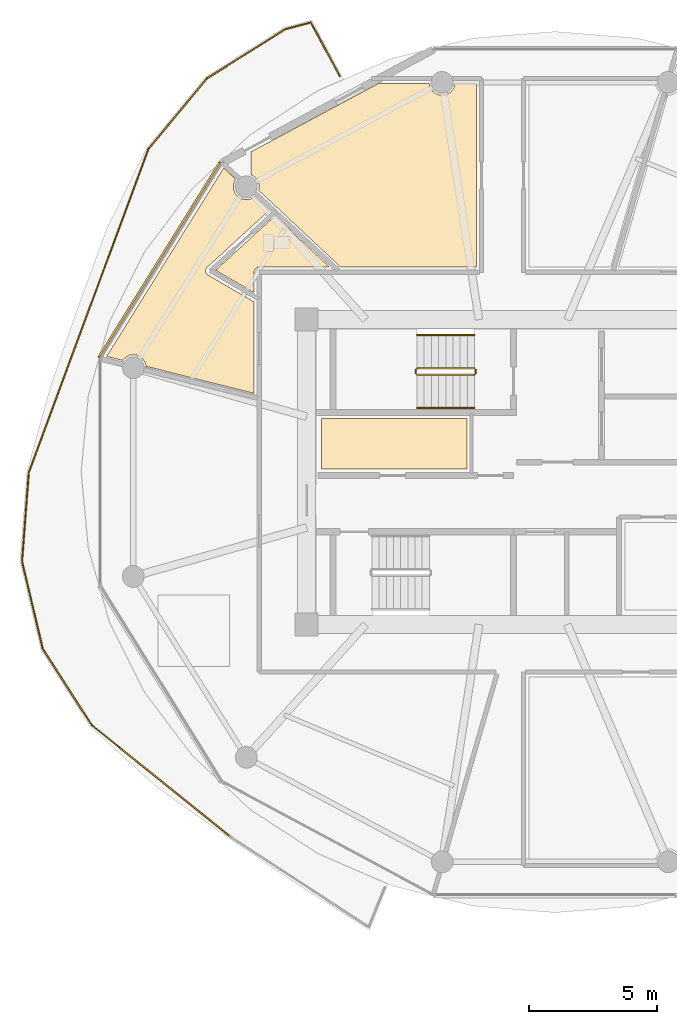
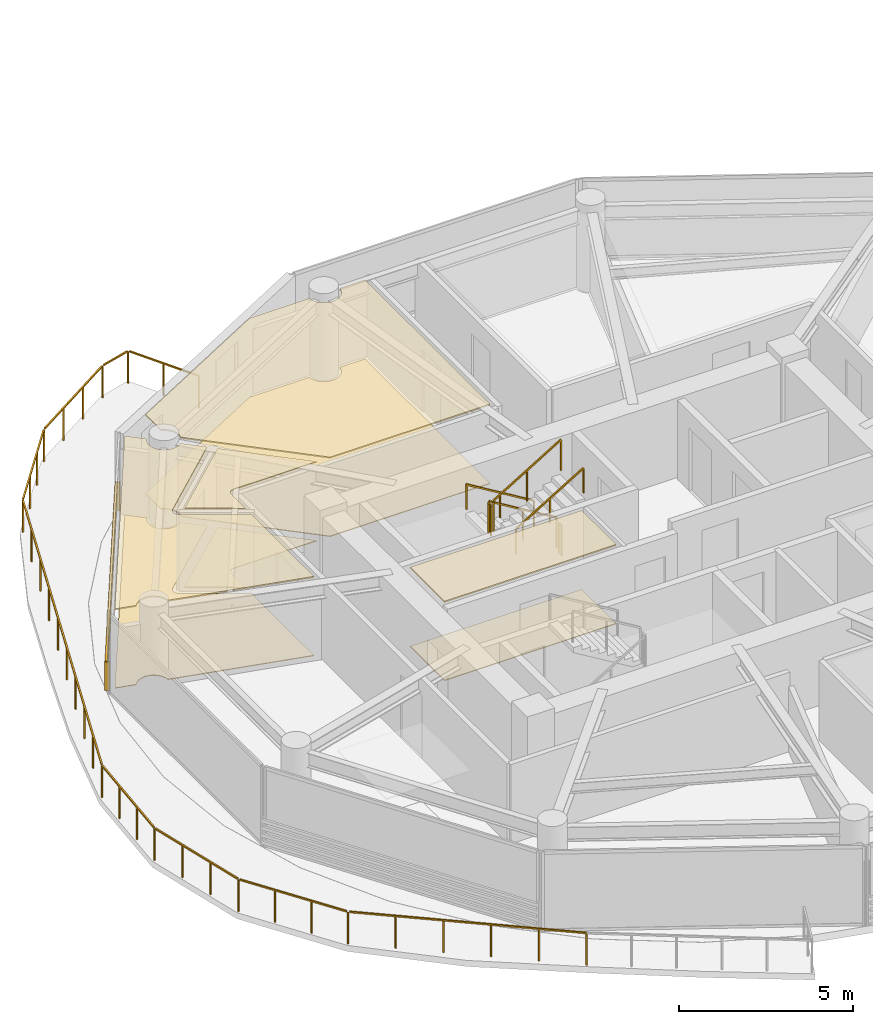
# One storey, part 20 of 25: 8 coverings, 7 railings, 1 shading device.
"""IFC4 building model written with IfcOpenShell, lengths in metres."""

import ifcopenshell
import ifcopenshell.guid

model = None  # the IFC model being written
_history = None  # IfcOwnerHistory: only IFC2X3 demands one
_inside = {}  # id of a spatial element -> (the spatial element, [elements in it])
_under = {}  # id of a project, library or spatial element -> (it, [spatial elements below it])
_declared = {}  # id of a project -> (the project, [libraries it declares])
_typed = {}  # id of a type object -> (the type object, [elements of that type])
_made_of = {}  # id of a material, layer set ... -> (it, [elements and type objects made of it])


def new_model(schema):
    """Start an empty IFC model of exactly this schema.

    Asked for "IFC4X3", IfcOpenShell would pick the latest addendum, in which some entities
    have other attributes; the version numbers below select the first issue.
    IFC2X3 requires an IfcOwnerHistory on every rooted entity: one is made here for all.
    """
    global model, _history
    if schema == "IFC4X3":
        model = ifcopenshell.file(schema_version=(4, 3, 0, 0))
    else:
        model = ifcopenshell.file(schema=schema)
    _inside.clear()
    _under.clear()
    _declared.clear()
    _typed.clear()
    _made_of.clear()
    _history = None
    if model.schema == "IFC2X3":
        org = make("IfcOrganization", Name="unknown")
        user = make(
            "IfcPersonAndOrganization",
            ThePerson=make("IfcPerson", FamilyName="unknown"),
            TheOrganization=org,
        )
        app = make(
            "IfcApplication",
            ApplicationDeveloper=org,
            Version="unknown",
            ApplicationFullName="unknown",
            ApplicationIdentifier="unknown",
        )
        _history = make(
            "IfcOwnerHistory",
            OwningUser=user,
            OwningApplication=app,
            ChangeAction="ADDED",
            CreationDate=0,
        )
    return model


def make(cls, **values):
    """One entity of the class cls with the attributes given. An attribute that is None is left unset."""
    return model.create_entity(
        cls, **{name: value for name, value in values.items() if value is not None}
    )


def rooted(cls, **values):
    """An entity with a GlobalId (a new one), such as an element, a storey or a relation."""
    return make(cls, GlobalId=ifcopenshell.guid.new(), OwnerHistory=_history, **values)


def si_unit(unit_type, name, prefix=None):
    """IfcSIUnit, for example si_unit("LENGTHUNIT", "METRE", prefix="MILLI")."""
    return make("IfcSIUnit", UnitType=unit_type, Prefix=prefix, Name=name)


def assignment(units):
    """IfcUnitAssignment: the units of a project."""
    return None if units is None else make("IfcUnitAssignment", Units=units)


def point(xyz):
    """IfcCartesianPoint."""
    return None if xyz is None else make("IfcCartesianPoint", Coordinates=xyz)


def direction(xyz):
    """IfcDirection."""
    return None if xyz is None else make("IfcDirection", DirectionRatios=xyz)


def frame(location, z_axis=None, x_axis=None):
    """IfcAxis2Placement3D, a coordinate frame: its origin and axes. An axis left out is left unset."""
    return make(
        "IfcAxis2Placement3D",
        Location=point(location),
        Axis=direction(z_axis),
        RefDirection=direction(x_axis),
    )


def frame_2d(location, x_axis=None):
    """IfcAxis2Placement2D, a coordinate frame in the plane: its origin and x axis."""
    return make(
        "IfcAxis2Placement2D", Location=point(location), RefDirection=direction(x_axis)
    )


def origin():
    """The frame at (0, 0, 0) with its axes left unset."""
    return frame((0.0, 0.0, 0.0))


def origin_2d():
    """The frame at (0, 0) in the plane with its x axis left unset."""
    return frame_2d((0.0, 0.0))


def place(relative_to, where):
    """IfcLocalPlacement: puts the frame where relative to a parent placement (None: the world)."""
    return make(
        "IfcLocalPlacement", PlacementRelTo=relative_to, RelativePlacement=where
    )


def context(
    kind, dimensions, precision=None, world=None, true_north=None, identifier=None
):
    """IfcGeometricRepresentationContext, for example the 3D "Model" context."""
    return make(
        "IfcGeometricRepresentationContext",
        ContextIdentifier=identifier,
        ContextType=kind,
        CoordinateSpaceDimension=dimensions,
        Precision=precision,
        WorldCoordinateSystem=world,
        TrueNorth=true_north,
    )


def subcontext(parent, identifier, kind, view, scale=None):
    """IfcGeometricRepresentationSubContext, for example "Body" below "Model"."""
    return make(
        "IfcGeometricRepresentationSubContext",
        ContextIdentifier=identifier,
        ContextType=kind,
        ParentContext=parent,
        TargetScale=scale,
        TargetView=view,
    )


def project(units=None, contexts=None):
    """IfcProject with its units and contexts."""
    return rooted(
        "IfcProject",
        Name="project",
        RepresentationContexts=contexts,
        UnitsInContext=assignment(units),
    )


def spatial(cls, under=None, at=None, **own):
    """A site, building, storey or space (cls), placed at a placement, below another one or the project."""
    s = rooted(cls, ObjectPlacement=at, **own)
    if under is not None:
        _under.setdefault(under.id(), (under, []))[1].append(s)
    return s


def polyline(points):
    """IfcPolyline through the points."""
    return make("IfcPolyline", Points=[point(p) for p in points])


def profile(cls, at=None, kind="AREA", **sizes):
    """A parametric profile (cls). Its sizes go by their IFC names, for example OverallWidth=200.0."""
    return make(cls, ProfileType=kind, Position=at, **sizes)


def rectangle(**sizes):
    """IfcRectangleProfileDef."""
    return profile("IfcRectangleProfileDef", **sizes)


def outline(outer, holes=None, kind="AREA"):
    """IfcArbitraryClosedProfileDef: a profile drawn as a closed curve; with holes, ...WithVoids."""
    if holes is None:
        return make("IfcArbitraryClosedProfileDef", ProfileType=kind, OuterCurve=outer)
    return make(
        "IfcArbitraryProfileDefWithVoids",
        ProfileType=kind,
        OuterCurve=outer,
        InnerCurves=holes,
    )


def extrude(swept, where, along, depth):
    """IfcExtrudedAreaSolid: the profile swept, set in the frame where, extruded along a direction by depth."""
    return make(
        "IfcExtrudedAreaSolid",
        SweptArea=swept,
        Position=where,
        ExtrudedDirection=direction(along),
        Depth=depth,
    )


def shape(context_of_items, identifier, shape_type, items):
    """IfcShapeRepresentation: the items that make up one representation, for example the "Body"."""
    return make(
        "IfcShapeRepresentation",
        ContextOfItems=context_of_items,
        RepresentationIdentifier=identifier,
        RepresentationType=shape_type,
        Items=items,
    )


def source(mapping_origin, context_of_items, identifier, shape_type, items):
    """IfcRepresentationMap: a shape defined once, which mapped items show again and again."""
    return make(
        "IfcRepresentationMap",
        MappingOrigin=mapping_origin,
        MappedRepresentation=shape(context_of_items, identifier, shape_type, items),
    )


def transform(
    local_origin,
    x_axis=None,
    y_axis=None,
    z_axis=None,
    scale=None,
    scale2=None,
    scale3=None,
    uniform=True,
):
    """IfcCartesianTransformationOperator3D, or its non-uniform kind. x_axis, y_axis, z_axis: its Axis1, 2, 3."""
    if uniform:
        return make(
            "IfcCartesianTransformationOperator3D",
            Axis1=direction(x_axis),
            Axis2=direction(y_axis),
            LocalOrigin=point(local_origin),
            Scale=scale,
            Axis3=direction(z_axis),
        )
    return make(
        "IfcCartesianTransformationOperator3DnonUniform",
        Axis1=direction(x_axis),
        Axis2=direction(y_axis),
        LocalOrigin=point(local_origin),
        Scale=scale,
        Axis3=direction(z_axis),
        Scale2=scale2,
        Scale3=scale3,
    )


def mapped(mapping_source, mapping_target):
    """IfcMappedItem: shows the shape of a source again, moved by a transform."""
    return make(
        "IfcMappedItem", MappingSource=mapping_source, MappingTarget=mapping_target
    )


def material(Name=None, Category=None):
    """IfcMaterial."""
    return make("IfcMaterial", Name=Name, Category=Category)


def layer(
    of_material, thickness, ventilated=None, Name=None, Category=None, Priority=None
):
    """IfcMaterialLayer: one layer of a wall or slab, of a material (None: an air gap)."""
    return make(
        "IfcMaterialLayer",
        Material=of_material,
        LayerThickness=thickness,
        IsVentilated=ventilated,
        Name=Name,
        Category=Category,
        Priority=Priority,
    )


def layer_set(layers, Name=None):
    """IfcMaterialLayerSet."""
    return make("IfcMaterialLayerSet", MaterialLayers=layers, LayerSetName=Name)


def made_of(thing, what):
    """Note that an element or type object is made of a material, layer set ...; save() writes the relation."""
    if what is not None:
        _made_of.setdefault(what.id(), (what, []))[1].append(thing)
    return thing


def type_object(cls, material=None, **own):
    """A type object (cls), such as IfcWallType, which elements share."""
    return made_of(rooted(cls, **own), material)


def type_shapes(of_type, sources):
    """Give a type object the sources (RepresentationMaps) that its elements show as mapped items."""
    of_type.RepresentationMaps = sources


def element(
    cls,
    number,
    at=None,
    inside=None,
    cuts=None,
    type_object=None,
    material=None,
    context=None,
    identifier="Body",
    shape_type=None,
    held_by="IfcProductDefinitionShape",
    body=None,
    shapes=None,
    **own,
):
    """One element of the class cls, such as IfcWall. Its Tag is "e" and its number.

    at: its placement. inside: the storey or other place that contains it. cuts: it is an
    opening in that element (IfcRelVoidsElement). A single representation is given by context,
    identifier, shape_type and body (its items); several are given by shapes. held_by: the class
    of the entity that holds the representations. save() writes the other relations.
    """
    e = rooted(cls, Tag="e%d" % number, ObjectPlacement=at, **own)
    if body is not None:
        shapes = [shape(context, identifier, shape_type, body)]
    if shapes is not None:
        e.Representation = make(held_by, Representations=shapes)
    if inside is not None:
        _inside.setdefault(inside.id(), (inside, []))[1].append(e)
    if cuts is not None:
        rooted(
            "IfcRelVoidsElement", RelatingBuildingElement=cuts, RelatedOpeningElement=e
        )
    if type_object is not None:
        _typed.setdefault(type_object.id(), (type_object, []))[1].append(e)
    return made_of(e, material)


def aggregate(whole, parts):
    """IfcRelAggregates: a whole, such as a stair, and the parts it consists of."""
    return rooted("IfcRelAggregates", RelatingObject=whole, RelatedObjects=parts)


def save(model, path):
    """Write the relations noted so far, then the file.

    IfcRelAggregates (storeys below a building ...), IfcRelContainedInSpatialStructure (elements
    in a storey), IfcRelDefinesByType, IfcRelAssociatesMaterial and IfcRelDeclares: one each for
    every whole, place, type object, material and project.
    """
    for whole, parts in _under.values():
        aggregate(whole, parts)
    for where, things in _inside.values():
        rooted(
            "IfcRelContainedInSpatialStructure",
            RelatedElements=things,
            RelatingStructure=where,
        )
    for kind, things in _typed.values():
        rooted("IfcRelDefinesByType", RelatedObjects=things, RelatingType=kind)
    for what, things in _made_of.values():
        rooted("IfcRelAssociatesMaterial", RelatedObjects=things, RelatingMaterial=what)
    for by, libraries in _declared.values():
        rooted("IfcRelDeclares", RelatingContext=by, RelatedDefinitions=libraries)
    model.write(path)


model = new_model("IFC4")

# Units and contexts
model_context = context("Model", 3, precision=1e-05, world=origin(), true_north=direction((0.0, 1.0)))
body_context = subcontext(model_context, "Body", "Model", "MODEL_VIEW")
ifc_project = project(units=[si_unit("LENGTHUNIT", "METRE"), si_unit("AREAUNIT", "SQUARE_METRE"), si_unit("VOLUMEUNIT", "CUBIC_METRE"), si_unit("PLANEANGLEUNIT", "RADIAN"), si_unit("MASSUNIT", "GRAM", prefix="KILO")], contexts=[model_context])

# Site, building, storey
site_placement = place(None, origin())
site = spatial("IfcSite", under=ifc_project, at=site_placement, CompositionType="ELEMENT")
building_placement = place(site_placement, origin())
building = spatial("IfcBuilding", under=site, at=building_placement, Name="Norrkilde Senior Care Towers", CompositionType="ELEMENT")
storey_placement = place(building_placement, frame((0.0, 0.0, 99.300048828125)))
storey = spatial("IfcBuildingStorey", under=building, at=storey_placement, Name="L30", CompositionType="ELEMENT", Elevation=99.300048828125)

# Coverings
ifc_material_1 = material(Name="Nordic Ash Timber", Category="wood")
ifc_layer_1 = layer(ifc_material_1, 0.044921875)
ifc_layer_set_1 = layer_set([ifc_layer_1], Name="Nordic Ash Timber")
covering_type_1 = type_object("IfcCoveringType", Name="Acoustic Ash Timber Slatted Ceiling 45", PredefinedType="CEILING", material=ifc_layer_set_1)
covering_1_placement = place(storey_placement, frame((0.0, 0.0, 2.744873046875)))
element("IfcCovering", 1, at=covering_1_placement, inside=storey, type_object=covering_type_1, Name="L30 Suspended Ceiling 0245", PredefinedType="CEILING", context=body_context, shape_type="SweptSolid", body=[
    extrude(outline(polyline([(-29.39990234375, 0.1201171875), (-35.080078125, 0.1201171875), (-35.080078125, 2.090087890625), (-29.39990234375, 2.090087890625), (-29.39990234375, 0.1201171875)])), origin(), (0.0, 0.0, 1.0), 0.045166015625),
])
covering_2_placement = place(storey_placement, frame((0.0, 0.0, 2.744873046875)))
element("IfcCovering", 2, at=covering_2_placement, inside=storey, type_object=covering_type_1, Name="L30 Suspended Ceiling 0247", PredefinedType="CEILING", context=body_context, shape_type="SweptSolid", body=[
    extrude(outline(polyline([(-30.8505859375, 15.08251953125), (-30.80029296875, 14.9609375), (-30.719970703125, 14.856201171875), (-30.615478515625, 14.77587890625), (-30.49365234375, 14.7255859375), (-30.36279296875, 14.708251953125), (-30.232177734375, 14.7255859375), (-30.1103515625, 14.77587890625), (-30.005859375, 14.856201171875), (-29.925537109375, 14.9609375), (-29.875, 15.08251953125), (-29.863525390625, 15.169921875), (-29.02001953125, 15.169921875), (-29.02001953125, 8.0), (-34.320556640625, 8.0), (-37.522216796875, 10.9970703125), (-37.518310546875, 11.00634765625), (-37.501220703125, 11.136962890625), (-37.518310546875, 11.267578125), (-37.56884765625, 11.389404296875), (-37.649169921875, 11.494140625), (-37.753662109375, 11.57421875), (-37.830078125, 11.60595703125), (-37.830078125, 12.496826171875), (-32.846435546875, 15.169921875), (-30.862060546875, 15.169921875), (-30.8505859375, 15.08251953125)])), origin(), (0.0, 0.0, 1.0), 0.045166015625),
])
covering_3_placement = place(storey_placement, frame((0.0, 0.0, 2.744873046875)))
element("IfcCovering", 3, at=covering_3_placement, inside=storey, type_object=covering_type_1, Name="L30 Suspended Ceiling 0250", PredefinedType="CEILING", context=body_context, shape_type="SweptSolid", body=[
    extrude(outline(polyline([(-39.561767578125, 7.96435546875), (-39.565673828125, 7.95849609375), (-39.57177734375, 7.948486328125), (-39.574951171875, 7.9423828125), (-39.579833984375, 7.931640625), (-39.58251953125, 7.92529296875), (-39.58642578125, 7.9140625), (-39.58837890625, 7.907470703125), (-39.591064453125, 7.89599609375), (-39.59228515625, 7.88916015625), (-39.593994140625, 7.87744140625), (-39.5947265625, 7.87060546875), (-39.59521484375, 7.85888671875), (-39.59521484375, 7.851806640625), (-39.594482421875, 7.840087890625), (-39.59375, 7.833251953125), (-39.591796875, 7.821533203125), (-39.590576171875, 7.81494140625), (-39.58740234375, 7.803466796875), (-39.58544921875, 7.796875), (-39.581298828125, 7.78564453125), (-39.57861328125, 7.779296875), (-39.573486328125, 7.768798828125), (-39.5703125, 7.7626953125), (-39.56396484375, 7.752685546875), (-39.56005859375, 7.746826171875), (-39.552978515625, 7.737548828125), (-39.548583984375, 7.732177734375), (-39.54052734375, 7.7236328125), (-39.53564453125, 7.71875), (-39.52685546875, 7.7109375), (-39.521484375, 7.70654296875), (-39.511962890625, 7.69970703125), (-39.506103515625, 7.69580078125), (-39.5009765625, 7.69287109375), (-37.699951171875, 6.64111328125), (-37.699951171875, 3.07080078125), (-41.921142578125, 4.129638671875), (-41.93115234375, 4.20703125), (-41.981689453125, 4.328857421875), (-42.06201171875, 4.43359375), (-42.16650390625, 4.513671875), (-42.288330078125, 4.564208984375), (-42.4189453125, 4.581298828125), (-42.5498046875, 4.564208984375), (-42.671630859375, 4.513671875), (-42.776123046875, 4.43359375), (-42.833740234375, 4.358642578125), (-43.45849609375, 4.515380859375), (-38.890380859375, 11.86669921875), (-38.417236328125, 11.423828125), (-38.443603515625, 11.389404296875), (-38.493896484375, 11.267578125), (-38.51123046875, 11.136962890625), (-38.493896484375, 11.00634765625), (-38.443603515625, 10.884521484375), (-38.36328125, 10.77978515625), (-38.2587890625, 10.69970703125), (-38.136962890625, 10.649169921875), (-38.006103515625, 10.6318359375), (-37.87548828125, 10.649169921875), (-37.753662109375, 10.69970703125), (-37.693115234375, 10.74609375), (-37.118408203125, 10.208251953125), (-39.533447265625, 7.9970703125), (-39.537841796875, 7.992919921875), (-39.542724609375, 7.988037109375), (-39.550537109375, 7.979248046875), (-39.554931640625, 7.973876953125), (-39.561767578125, 7.96435546875)])), origin(), (0.0, 0.0, 1.0), 0.045166015625),
])

# Railing
ifc_material_2 = material(Name="Anodised Aluminium", Category="aluminium")
railing_type_1 = type_object("IfcRailingType", Name="Balcony Swirl Ribbon Guardrail 1150", PredefinedType="GUARDRAIL", material=ifc_material_2)
railing_1_placement = place(storey_placement, frame((-38.6552734375, -14.21142578125, 0.0)))
element("IfcRailing", 4, at=railing_1_placement, inside=storey, type_object=railing_type_1, Name="L30 Perimeter Safety Guard 03", PredefinedType="GUARDRAIL", context=body_context, shape_type="SweptSolid", body=[
    extrude(rectangle(XDim=0.048095703125, YDim=0.048095703125, at=origin_2d()), frame((0.0, 0.0, 1.1259765625), z_axis=(-0.778978469851, 0.627050670607, 0.0), x_axis=(-0.627050670607, -0.778978469851, 0.0)), (0.0, 0.0, 1.0), 6.876953125),
    extrude(rectangle(XDim=0.048095703125, YDim=0.048095703125, at=origin_2d()), frame((-5.410888671875, 4.372314453125, 1.1259765625), z_axis=(-0.539889944141, 0.841735616577, 0.0), x_axis=(-0.841735616577, -0.539889944141, 0.0)), (0.0, 0.0, 1.0), 3.4462890625),
    extrude(rectangle(XDim=0.048095703125, YDim=0.048095703125, at=origin_2d()), frame((-7.30322265625, 7.347412109375, 1.1259765625), z_axis=(-0.230755691652, 0.973011721805, 0.0), x_axis=(-0.973011721805, -0.230755691652, 0.0)), (0.0, 0.0, 1.0), 3.4296875),
    extrude(rectangle(XDim=0.048095703125, YDim=0.048095703125, at=origin_2d()), frame((-8.100830078125, 10.76513671875, 1.1259765625), z_axis=(0.075624526475, 0.997136365296, 0.0), x_axis=(-0.997136365296, 0.075624526475, 0.0)), (0.0, 0.0, 1.0), 3.401611328125),
    extrude(rectangle(XDim=0.048095703125, YDim=0.048095703125, at=origin_2d()), frame((-7.826416015625, 14.236083984375, 1.1259765625), z_axis=(0.346693499448, 0.937978473868, 0.0), x_axis=(-0.937978473868, 0.346693499448, 0.0)), (0.0, 0.0, 1.0), 13.38037109375),
    extrude(rectangle(XDim=0.048095703125, YDim=0.048095703125, at=origin_2d()), frame((-3.147216796875, 26.8564453125, 1.1259765625), z_axis=(0.638981792783, 0.769221859083, 0.0), x_axis=(-0.769221859083, 0.638981792783, 0.0)), (0.0, 0.0, 1.0), 3.494873046875),
    extrude(rectangle(XDim=0.048095703125, YDim=0.048095703125, at=origin_2d()), frame((-0.853271484375, 29.597900390625, 1.1259765625), z_axis=(0.846481417603, 0.532418265702, 0.0), x_axis=(-0.532418265702, 0.846481417603, 0.0)), (0.0, 0.0, 1.0), 3.525146484375),
    extrude(rectangle(XDim=0.048095703125, YDim=0.048095703125, at=origin_2d()), frame((2.204833984375, 31.507080078125, 1.1259765625), z_axis=(0.965898750118, 0.258920073615, 0.0), x_axis=(-0.258920073615, 0.965898750118, 0.0)), (0.0, 0.0, 1.0), 0.957275390625),
    extrude(rectangle(XDim=0.048095703125, YDim=0.048095703125, at=origin_2d()), frame((3.188232421875, 31.729736328125, 1.1259765625), z_axis=(0.473830812918, -0.880615898522, 0.0), x_axis=(0.880615898522, 0.473830812918, 0.0)), (0.0, 0.0, 1.0), 2.340576171875),
    extrude(rectangle(XDim=0.0419921875, YDim=0.0419921875, at=origin_2d()), origin(), (0.0, 0.0, 1.0), 1.099853515625),
    extrude(rectangle(XDim=0.0419921875, YDim=0.0419921875, at=origin_2d()), frame((-1.077880859375, 0.86767578125, 0.0)), (0.0, 0.0, 1.0), 1.099853515625),
    extrude(rectangle(XDim=0.0419921875, YDim=0.0419921875, at=origin_2d()), frame((-2.155517578125, 1.735107421875, 0.0)), (0.0, 0.0, 1.0), 1.099853515625),
    extrude(rectangle(XDim=0.0419921875, YDim=0.0419921875, at=origin_2d()), frame((-3.2333984375, 2.602783203125, 0.0)), (0.0, 0.0, 1.0), 1.099853515625),
    extrude(rectangle(XDim=0.0419921875, YDim=0.0419921875, at=origin_2d()), frame((-4.31103515625, 3.47021484375, 0.0)), (0.0, 0.0, 1.0), 1.099853515625),
    extrude(rectangle(XDim=0.0419921875, YDim=0.0419921875, at=origin_2d()), frame((-5.388916015625, 4.337890625, 0.0)), (0.0, 0.0, 1.0), 1.099853515625),
    extrude(rectangle(XDim=0.0419921875, YDim=0.0419921875, at=origin_2d()), frame((-6.02392578125, 5.327880859375, 0.0)), (0.0, 0.0, 1.0), 1.099853515625),
    extrude(rectangle(XDim=0.0419921875, YDim=0.0419921875, at=origin_2d()), frame((-6.65869140625, 6.317626953125, 0.0)), (0.0, 0.0, 1.0), 1.099853515625),
    extrude(rectangle(XDim=0.0419921875, YDim=0.0419921875, at=origin_2d()), frame((-7.293701171875, 7.3076171875, 0.0)), (0.0, 0.0, 1.0), 1.099853515625),
    extrude(rectangle(XDim=0.0419921875, YDim=0.0419921875, at=origin_2d()), frame((-7.563720703125, 8.446533203125, 0.0)), (0.0, 0.0, 1.0), 1.099853515625),
    extrude(rectangle(XDim=0.0419921875, YDim=0.0419921875, at=origin_2d()), frame((-7.833984375, 9.58544921875, 0.0)), (0.0, 0.0, 1.0), 1.099853515625),
    extrude(rectangle(XDim=0.0419921875, YDim=0.0419921875, at=origin_2d()), frame((-8.10400390625, 10.724365234375, 0.0)), (0.0, 0.0, 1.0), 1.099853515625),
    extrude(rectangle(XDim=0.0419921875, YDim=0.0419921875, at=origin_2d()), frame((-8.01611328125, 11.882080078125, 0.0)), (0.0, 0.0, 1.0), 1.099853515625),
    extrude(rectangle(XDim=0.0419921875, YDim=0.0419921875, at=origin_2d()), frame((-7.928466796875, 13.0400390625, 0.0)), (0.0, 0.0, 1.0), 1.099853515625),
    extrude(rectangle(XDim=0.0419921875, YDim=0.0419921875, at=origin_2d()), frame((-7.840576171875, 14.19775390625, 0.0)), (0.0, 0.0, 1.0), 1.099853515625),
    extrude(rectangle(XDim=0.0419921875, YDim=0.0419921875, at=origin_2d()), frame((-7.322021484375, 15.600830078125, 0.0)), (0.0, 0.0, 1.0), 1.099853515625),
    extrude(rectangle(XDim=0.0419921875, YDim=0.0419921875, at=origin_2d()), frame((-6.803466796875, 17.00390625, 0.0)), (0.0, 0.0, 1.0), 1.099853515625),
    extrude(rectangle(XDim=0.0419921875, YDim=0.0419921875, at=origin_2d()), frame((-6.284912109375, 18.40673828125, 0.0)), (0.0, 0.0, 1.0), 1.099853515625),
    extrude(rectangle(XDim=0.0419921875, YDim=0.0419921875, at=origin_2d()), frame((-5.766357421875, 19.809814453125, 0.0)), (0.0, 0.0, 1.0), 1.099853515625),
    extrude(rectangle(XDim=0.0419921875, YDim=0.0419921875, at=origin_2d()), frame((-5.24755859375, 21.212890625, 0.0)), (0.0, 0.0, 1.0), 1.099853515625),
    extrude(rectangle(XDim=0.0419921875, YDim=0.0419921875, at=origin_2d()), frame((-4.72900390625, 22.615966796875, 0.0)), (0.0, 0.0, 1.0), 1.099853515625),
    extrude(rectangle(XDim=0.0419921875, YDim=0.0419921875, at=origin_2d()), frame((-4.21044921875, 24.018798828125, 0.0)), (0.0, 0.0, 1.0), 1.099853515625),
    extrude(rectangle(XDim=0.0419921875, YDim=0.0419921875, at=origin_2d()), frame((-3.69189453125, 25.421875, 0.0)), (0.0, 0.0, 1.0), 1.099853515625),
    extrude(rectangle(XDim=0.0419921875, YDim=0.0419921875, at=origin_2d()), frame((-3.17333984375, 26.824951171875, 0.0)), (0.0, 0.0, 1.0), 1.099853515625),
    extrude(rectangle(XDim=0.0419921875, YDim=0.0419921875, at=origin_2d()), frame((-2.41162109375, 27.741943359375, 0.0)), (0.0, 0.0, 1.0), 1.099853515625),
    extrude(rectangle(XDim=0.0419921875, YDim=0.0419921875, at=origin_2d()), frame((-1.649658203125, 28.6591796875, 0.0)), (0.0, 0.0, 1.0), 1.099853515625),
    extrude(rectangle(XDim=0.0419921875, YDim=0.0419921875, at=origin_2d()), frame((-0.887939453125, 29.576171875, 0.0)), (0.0, 0.0, 1.0), 1.099853515625),
    extrude(rectangle(XDim=0.0419921875, YDim=0.0419921875, at=origin_2d()), frame((0.1298828125, 30.21630859375, 0.0)), (0.0, 0.0, 1.0), 1.099853515625),
    extrude(rectangle(XDim=0.0419921875, YDim=0.0419921875, at=origin_2d()), frame((1.1474609375, 30.8564453125, 0.0)), (0.0, 0.0, 1.0), 1.099853515625),
    extrude(rectangle(XDim=0.0419921875, YDim=0.0419921875, at=origin_2d()), frame((2.165283203125, 31.49658203125, 0.0)), (0.0, 0.0, 1.0), 1.099853515625),
    extrude(rectangle(XDim=0.0419921875, YDim=0.0419921875, at=origin_2d()), frame((3.1689453125, 31.765625, 0.0)), (0.0, 0.0, 1.0), 1.099853515625),
    extrude(rectangle(XDim=0.0419921875, YDim=0.0419921875, at=origin_2d()), frame((3.733154296875, 30.717041015625, 0.0)), (0.0, 0.0, 1.0), 1.099853515625),
    extrude(rectangle(XDim=0.0419921875, YDim=0.0419921875, at=origin_2d()), frame((4.29736328125, 29.66845703125, 0.0)), (0.0, 0.0, 1.0), 1.099853515625),
])

# Coverings
ifc_material_3 = material(Name="Gypsum Acoustic Board")
ifc_layer_2 = layer(ifc_material_3, 0.030029296875)
ifc_layer_set_2 = layer_set([ifc_layer_2], Name="Gypsum Acoustic Board")
covering_type_2 = type_object("IfcCoveringType", Name="Medical Cleanable Gypsum Ceiling 30", PredefinedType="CEILING", material=ifc_layer_set_2)
covering_4_placement = place(storey_placement, frame((0.0, 0.0, 2.760009765625)))
element("IfcCovering", 5, at=covering_4_placement, inside=storey, type_object=covering_type_2, Name="L30 Suspended Ceiling 0251", PredefinedType="CEILING", context=body_context, shape_type="SweptSolid", body=[
    extrude(outline(polyline([(-37.513671875, 7.99951171875), (-37.525390625, 7.998291015625), (-37.533203125, 7.9970703125), (-37.544677734375, 7.994873046875), (-37.552490234375, 7.992919921875), (-37.563720703125, 7.989501953125), (-37.571044921875, 7.98681640625), (-37.58203125, 7.982421875), (-37.589111328125, 7.97900390625), (-37.599365234375, 7.973388671875), (-37.606201171875, 7.969482421875), (-37.615966796875, 7.962890625), (-37.622314453125, 7.958251953125), (-37.63134765625, 7.95068359375), (-37.63720703125, 7.945556640625), (-37.6455078125, 7.937255859375), (-37.65087890625, 7.931396484375), (-37.658203125, 7.92236328125), (-37.662841796875, 7.916015625), (-37.66943359375, 7.90625), (-37.673583984375, 7.8994140625), (-37.678955078125, 7.888916015625), (-37.682373046875, 7.8818359375), (-37.68701171875, 7.87109375), (-37.689453125, 7.86376953125), (-37.69287109375, 7.852294921875), (-37.69482421875, 7.8447265625), (-37.697265625, 7.833251953125), (-37.6982421875, 7.825439453125), (-37.699462890625, 7.813720703125), (-37.699951171875, 7.805908203125), (-37.699951171875, 7.800048828125), (-37.699951171875, 7.0), (-39.2041015625, 7.87841796875), (-36.8916015625, 9.99560546875), (-34.759521484375, 8.0), (-37.5, 8.0), (-37.505859375, 7.999755859375), (-37.513671875, 7.99951171875)])), origin(), (0.0, 0.0, 1.0), 0.030029296875),
])
ifc_material_4 = material(Name="Slip-Resistant Porcelain Stone", Category="masonry")
ifc_layer_3 = layer(ifc_material_4, 0.02490234375)
ifc_layer_set_3 = layer_set([ifc_layer_3], Name="Slip-Resistant Porcelain Stone")
covering_type_3 = type_object("IfcCoveringType", Name="Slip-Resistant Porcelain Flooring 25", PredefinedType="FLOORING", material=ifc_layer_set_3)
covering_5_placement = place(storey_placement, origin())
element("IfcCovering", 6, at=covering_5_placement, inside=storey, type_object=covering_type_3, Name="L30 Floor Finish 0245", PredefinedType="FLOORING", context=body_context, shape_type="SweptSolid", body=[
    extrude(outline(polyline([(-29.39990234375, 0.1201171875), (-35.080078125, 0.1201171875), (-35.080078125, 2.090087890625), (-29.39990234375, 2.090087890625), (-29.39990234375, 0.1201171875)])), origin(), (0.0, 0.0, 1.0), 0.02490234375),
])
covering_6_placement = place(storey_placement, origin())
element("IfcCovering", 7, at=covering_6_placement, inside=storey, type_object=covering_type_3, Name="L30 Floor Finish 0247", PredefinedType="FLOORING", context=body_context, shape_type="SweptSolid", body=[
    extrude(outline(polyline([(-30.8505859375, 15.08251953125), (-30.80029296875, 14.9609375), (-30.719970703125, 14.856201171875), (-30.615478515625, 14.77587890625), (-30.49365234375, 14.7255859375), (-30.36279296875, 14.708251953125), (-30.232177734375, 14.7255859375), (-30.1103515625, 14.77587890625), (-30.005859375, 14.856201171875), (-29.925537109375, 14.9609375), (-29.875, 15.08251953125), (-29.863525390625, 15.169921875), (-29.02001953125, 15.169921875), (-29.02001953125, 8.0), (-34.320556640625, 8.0), (-37.522216796875, 10.9970703125), (-37.518310546875, 11.00634765625), (-37.501220703125, 11.136962890625), (-37.518310546875, 11.267578125), (-37.56884765625, 11.389404296875), (-37.649169921875, 11.494140625), (-37.753662109375, 11.57421875), (-37.830078125, 11.60595703125), (-37.830078125, 12.496826171875), (-32.846435546875, 15.169921875), (-30.862060546875, 15.169921875), (-30.8505859375, 15.08251953125)])), origin(), (0.0, 0.0, 1.0), 0.02490234375),
])
covering_7_placement = place(storey_placement, origin())
element("IfcCovering", 8, at=covering_7_placement, inside=storey, type_object=covering_type_3, Name="L30 Floor Finish 0250", PredefinedType="FLOORING", context=body_context, shape_type="SweptSolid", body=[
    extrude(outline(polyline([(-39.561767578125, 7.96435546875), (-39.565673828125, 7.95849609375), (-39.57177734375, 7.948486328125), (-39.574951171875, 7.9423828125), (-39.579833984375, 7.931640625), (-39.58251953125, 7.92529296875), (-39.58642578125, 7.9140625), (-39.58837890625, 7.907470703125), (-39.591064453125, 7.89599609375), (-39.59228515625, 7.88916015625), (-39.593994140625, 7.87744140625), (-39.5947265625, 7.87060546875), (-39.59521484375, 7.85888671875), (-39.59521484375, 7.851806640625), (-39.594482421875, 7.840087890625), (-39.59375, 7.833251953125), (-39.591796875, 7.821533203125), (-39.590576171875, 7.81494140625), (-39.58740234375, 7.803466796875), (-39.58544921875, 7.796875), (-39.581298828125, 7.78564453125), (-39.57861328125, 7.779296875), (-39.573486328125, 7.768798828125), (-39.5703125, 7.7626953125), (-39.56396484375, 7.752685546875), (-39.56005859375, 7.746826171875), (-39.552978515625, 7.737548828125), (-39.548583984375, 7.732177734375), (-39.54052734375, 7.7236328125), (-39.53564453125, 7.71875), (-39.52685546875, 7.7109375), (-39.521484375, 7.70654296875), (-39.511962890625, 7.69970703125), (-39.506103515625, 7.69580078125), (-39.5009765625, 7.69287109375), (-37.699951171875, 6.64111328125), (-37.699951171875, 3.07080078125), (-41.921142578125, 4.129638671875), (-41.93115234375, 4.20703125), (-41.981689453125, 4.328857421875), (-42.06201171875, 4.43359375), (-42.16650390625, 4.513671875), (-42.288330078125, 4.564208984375), (-42.4189453125, 4.581298828125), (-42.5498046875, 4.564208984375), (-42.671630859375, 4.513671875), (-42.776123046875, 4.43359375), (-42.833740234375, 4.358642578125), (-43.45849609375, 4.515380859375), (-38.890380859375, 11.86669921875), (-38.417236328125, 11.423828125), (-38.443603515625, 11.389404296875), (-38.493896484375, 11.267578125), (-38.51123046875, 11.136962890625), (-38.493896484375, 11.00634765625), (-38.443603515625, 10.884521484375), (-38.36328125, 10.77978515625), (-38.2587890625, 10.69970703125), (-38.136962890625, 10.649169921875), (-38.006103515625, 10.6318359375), (-37.87548828125, 10.649169921875), (-37.753662109375, 10.69970703125), (-37.693115234375, 10.74609375), (-37.118408203125, 10.208251953125), (-39.533447265625, 7.9970703125), (-39.537841796875, 7.992919921875), (-39.542724609375, 7.988037109375), (-39.550537109375, 7.979248046875), (-39.554931640625, 7.973876953125), (-39.561767578125, 7.96435546875)])), origin(), (0.0, 0.0, 1.0), 0.02490234375),
])
covering_8_placement = place(storey_placement, origin())
element("IfcCovering", 9, at=covering_8_placement, inside=storey, type_object=covering_type_3, Name="L30 Floor Finish 0251", PredefinedType="FLOORING", context=body_context, shape_type="SweptSolid", body=[
    extrude(outline(polyline([(-37.513671875, 7.99951171875), (-37.525390625, 7.998291015625), (-37.533203125, 7.9970703125), (-37.544677734375, 7.994873046875), (-37.552490234375, 7.992919921875), (-37.563720703125, 7.989501953125), (-37.571044921875, 7.98681640625), (-37.58203125, 7.982421875), (-37.589111328125, 7.97900390625), (-37.599365234375, 7.973388671875), (-37.606201171875, 7.969482421875), (-37.615966796875, 7.962890625), (-37.622314453125, 7.958251953125), (-37.63134765625, 7.95068359375), (-37.63720703125, 7.945556640625), (-37.6455078125, 7.937255859375), (-37.65087890625, 7.931396484375), (-37.658203125, 7.92236328125), (-37.662841796875, 7.916015625), (-37.66943359375, 7.90625), (-37.673583984375, 7.8994140625), (-37.678955078125, 7.888916015625), (-37.682373046875, 7.8818359375), (-37.68701171875, 7.87109375), (-37.689453125, 7.86376953125), (-37.69287109375, 7.852294921875), (-37.69482421875, 7.8447265625), (-37.697265625, 7.833251953125), (-37.6982421875, 7.825439453125), (-37.699462890625, 7.813720703125), (-37.699951171875, 7.805908203125), (-37.699951171875, 7.800048828125), (-37.699951171875, 7.0), (-39.2041015625, 7.87841796875), (-36.8916015625, 9.99560546875), (-34.759521484375, 8.0), (-37.5, 8.0), (-37.505859375, 7.999755859375), (-37.513671875, 7.99951171875)])), origin(), (0.0, 0.0, 1.0), 0.02490234375),
])

# Railings
ifc_material_5 = material(Name="Stainless Steel", Category="steel")
railing_type_2 = type_object("IfcRailingType", Name="Stair and Terrace Guardrail 1100", PredefinedType="GUARDRAIL", material=ifc_material_5)
railing_2_placement = place(storey_placement, frame((-29.10009765625, 4.050048828125, 0.16943359375)))
element("IfcRailing", 10, at=railing_2_placement, inside=storey, type_object=railing_type_2, Name="L30 ST-W1 stair guard 1", PredefinedType="GUARDRAIL", context=body_context, shape_type="SweptSolid", body=[
    extrude(rectangle(XDim=0.048095703125, YDim=0.048095703125, at=origin_2d()), frame((0.0, 0.0, 1.076171875), z_axis=(-0.855553338991, 0.0, 0.51771467445), x_axis=(0.0, -1.0, 0.0)), (0.0, 0.0, 1.0), 2.6181640625),
    extrude(rectangle(XDim=0.0419921875, YDim=0.0419921875, at=origin_2d()), origin(), (0.0, 0.0, 1.0), 1.050048828125),
    extrude(rectangle(XDim=0.0419921875, YDim=0.0419921875, at=origin_2d()), frame((-1.1201171875, 0.0, 0.677734375)), (0.0, 0.0, 1.0), 1.050048828125),
    extrude(rectangle(XDim=0.0419921875, YDim=0.0419921875, at=origin_2d()), frame((-2.239990234375, 0.0, 1.35546875)), (0.0, 0.0, 1.0), 1.050048828125),
])
railing_3_placement = place(storey_placement, frame((-31.389892578125, 4.0, 1.52490234375)))
element("IfcRailing", 11, at=railing_3_placement, inside=storey, type_object=railing_type_2, Name="L30 ST-W1 stair guard 2", PredefinedType="GUARDRAIL", context=body_context, shape_type="SweptSolid", body=[
    extrude(rectangle(XDim=0.048095703125, YDim=0.048095703125, at=origin_2d()), frame((0.0, 0.0, 1.076171875), z_axis=(0.0, -1.0, 0.0), x_axis=(1.0, 0.0, 0.0)), (0.0, 0.0, 1.0), 0.14990234375),
    extrude(rectangle(XDim=0.0419921875, YDim=0.0419921875, at=origin_2d()), origin(), (0.0, 0.0, 1.0), 1.050048828125),
    extrude(rectangle(XDim=0.0419921875, YDim=0.0419921875, at=origin_2d()), frame((0.0, -0.14990234375, 0.0)), (0.0, 0.0, 1.0), 1.050048828125),
])
railing_4_placement = place(storey_placement, frame((-31.340087890625, 3.800048828125, 1.6943359375)))
element("IfcRailing", 12, at=railing_4_placement, inside=storey, type_object=railing_type_2, Name="L30 ST-W1 stair guard 3", PredefinedType="GUARDRAIL", context=body_context, shape_type="SweptSolid", body=[
    extrude(rectangle(XDim=0.048095703125, YDim=0.048095703125, at=origin_2d()), frame((0.0, 0.0, 1.076171875), z_axis=(0.855512035549, 0.0, 0.517782924622), x_axis=(0.0, 1.0, 0.0)), (0.0, 0.0, 1.0), 2.618408203125),
    extrude(rectangle(XDim=0.0419921875, YDim=0.0419921875, at=origin_2d()), origin(), (0.0, 0.0, 1.0), 1.050048828125),
    extrude(rectangle(XDim=0.0419921875, YDim=0.0419921875, at=origin_2d()), frame((1.1201171875, 0.0, 0.677734375)), (0.0, 0.0, 1.0), 1.050048828125),
    extrude(rectangle(XDim=0.0419921875, YDim=0.0419921875, at=origin_2d()), frame((2.239990234375, 0.0, 1.355712890625)), (0.0, 0.0, 1.0), 1.050048828125),
])
railing_5_placement = place(storey_placement, frame((-29.050048828125, 4.0, 0.0)))
element("IfcRailing", 13, at=railing_5_placement, inside=storey, type_object=railing_type_2, Name="L30 ST-W1 stair guard 4", PredefinedType="GUARDRAIL", context=body_context, shape_type="SweptSolid", body=[
    extrude(rectangle(XDim=0.048095703125, YDim=0.048095703125, at=origin_2d()), frame((0.0, 0.0, 1.076171875), z_axis=(0.0, -1.0, 0.0), x_axis=(1.0, 0.0, 0.0)), (0.0, 0.0, 1.0), 0.14990234375),
    extrude(rectangle(XDim=0.0419921875, YDim=0.0419921875, at=origin_2d()), origin(), (0.0, 0.0, 1.0), 1.050048828125),
    extrude(rectangle(XDim=0.0419921875, YDim=0.0419921875, at=origin_2d()), frame((0.0, -0.14990234375, 0.0)), (0.0, 0.0, 1.0), 1.050048828125),
])
railing_type_3 = type_object("IfcRailingType", Name="Wall and Stair Handrail 900", PredefinedType="HANDRAIL", material=ifc_material_1)
railing_6_placement = place(storey_placement, frame((-29.10009765625, 5.35009765625, 0.16943359375)))
element("IfcRailing", 14, at=railing_6_placement, inside=storey, type_object=railing_type_3, Name="L30 ST-W1 stair handrail 1", PredefinedType="HANDRAIL", context=body_context, shape_type="SweptSolid", body=[
    extrude(rectangle(XDim=0.048095703125, YDim=0.048095703125, at=origin_2d()), frame((0.0, 0.0, 0.8759765625), z_axis=(-0.855553338991, 0.0, 0.51771467445), x_axis=(0.0, -1.0, 0.0)), (0.0, 0.0, 1.0), 2.6181640625),
    extrude(rectangle(XDim=0.0419921875, YDim=0.0419921875, at=origin_2d()), origin(), (0.0, 0.0, 1.0), 0.849853515625),
    extrude(rectangle(XDim=0.0419921875, YDim=0.0419921875, at=origin_2d()), frame((-1.1201171875, 0.0, 0.677734375)), (0.0, 0.0, 1.0), 0.849853515625),
    extrude(rectangle(XDim=0.0419921875, YDim=0.0419921875, at=origin_2d()), frame((-2.239990234375, 0.0, 1.35546875)), (0.0, 0.0, 1.0), 0.849853515625),
])
railing_7_placement = place(storey_placement, frame((-31.340087890625, 2.5, 1.6943359375)))
element("IfcRailing", 15, at=railing_7_placement, inside=storey, type_object=railing_type_3, Name="L30 ST-W1 stair handrail 2", PredefinedType="HANDRAIL", context=body_context, shape_type="SweptSolid", body=[
    extrude(rectangle(XDim=0.048095703125, YDim=0.048095703125, at=origin_2d()), frame((0.0, 0.0, 0.8759765625), z_axis=(0.855512035549, 0.0, 0.517782924622), x_axis=(0.0, 1.0, 0.0)), (0.0, 0.0, 1.0), 2.618408203125),
    extrude(rectangle(XDim=0.0419921875, YDim=0.0419921875, at=origin_2d()), origin(), (0.0, 0.0, 1.0), 0.849853515625),
    extrude(rectangle(XDim=0.0419921875, YDim=0.0419921875, at=origin_2d()), frame((1.1201171875, 0.0, 0.677734375)), (0.0, 0.0, 1.0), 0.849853515625),
    extrude(rectangle(XDim=0.0419921875, YDim=0.0419921875, at=origin_2d()), frame((2.239990234375, 0.0, 1.355712890625)), (0.0, 0.0, 1.0), 0.849853515625),
])

# Shading device
ifc_material_6 = material(Name="Architectural Terracotta", Category="masonry")
shading_device_type = type_object("IfcShadingDeviceType", Name="Horizontal Terracotta Baguette Rack", PredefinedType="USERDEFINED", material=ifc_material_6)
shared_shape = source(origin(), body_context, "Body", "SweptSolid", [
    extrude(rectangle(XDim=0.070068359375, YDim=0.110107421875, at=origin_2d()), frame((0.0, 0.090087890625, 0.125), z_axis=(1.0, 0.0, 0.0), x_axis=(0.0, 1.0, 0.0)), (0.0, 0.0, 1.0), 9.01416015625),
    extrude(rectangle(XDim=0.070068359375, YDim=0.110107421875, at=origin_2d()), frame((0.0, 0.090087890625, 0.375), z_axis=(1.0, 0.0, 0.0), x_axis=(0.0, 1.0, 0.0)), (0.0, 0.0, 1.0), 9.01416015625),
    extrude(rectangle(XDim=0.070068359375, YDim=0.110107421875, at=origin_2d()), frame((0.0, 0.090087890625, 0.625), z_axis=(1.0, 0.0, 0.0), x_axis=(0.0, 1.0, 0.0)), (0.0, 0.0, 1.0), 9.01416015625),
    extrude(rectangle(XDim=0.070068359375, YDim=0.110107421875, at=origin_2d()), frame((0.0, 0.090087890625, 0.875), z_axis=(1.0, 0.0, 0.0), x_axis=(0.0, 1.0, 0.0)), (0.0, 0.0, 1.0), 9.01416015625),
    extrude(rectangle(XDim=0.050048828125, YDim=0.1552734375, at=origin_2d()), frame((0.02490234375, 0.047607421875, 0.0)), (0.0, 0.0, 1.0), 1.0),
    extrude(rectangle(XDim=0.050048828125, YDim=0.1552734375, at=origin_2d()), frame((8.9892578125, 0.047607421875, 0.0)), (0.0, 0.0, 1.0), 1.0),
])
type_shapes(shading_device_type, [shared_shape])
shading_device_placement = place(storey_placement, frame((-43.70361328125, 4.420654296875, 0.079833984375), z_axis=(0.0, 0.0, 1.0), x_axis=(0.527734142246, 0.849412274525, 0.0)))
element("IfcShadingDevice", 16, at=shading_device_placement, inside=storey, type_object=shading_device_type, Name="L30 Drum W Terracotta Baguette Screen 04", ObjectType="BAGUETTE", PredefinedType="USERDEFINED", context=body_context, shape_type="MappedRepresentation", body=[
    mapped(shared_shape, transform((0.0, 0.0, 0.0), x_axis=(1.0, 0.0, 0.0), y_axis=(0.0, 1.0, 0.0), z_axis=(0.0, 0.0, 1.0), scale=1.0)),
])

save(model, "model.ifc")
